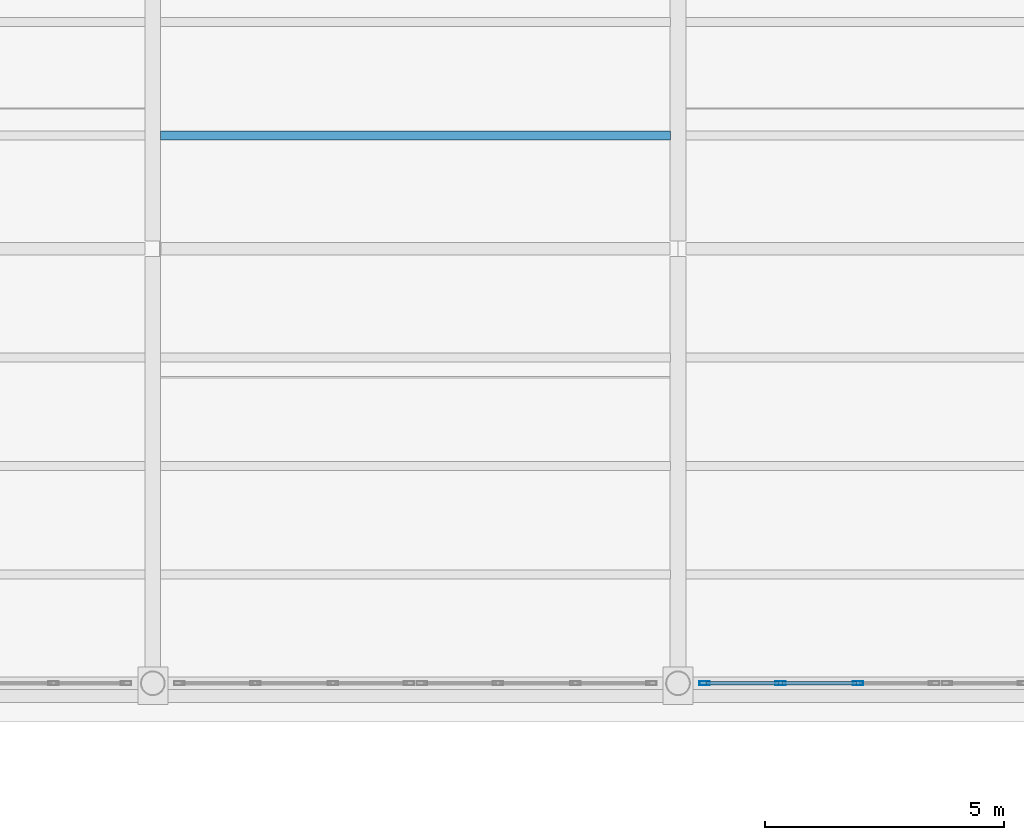
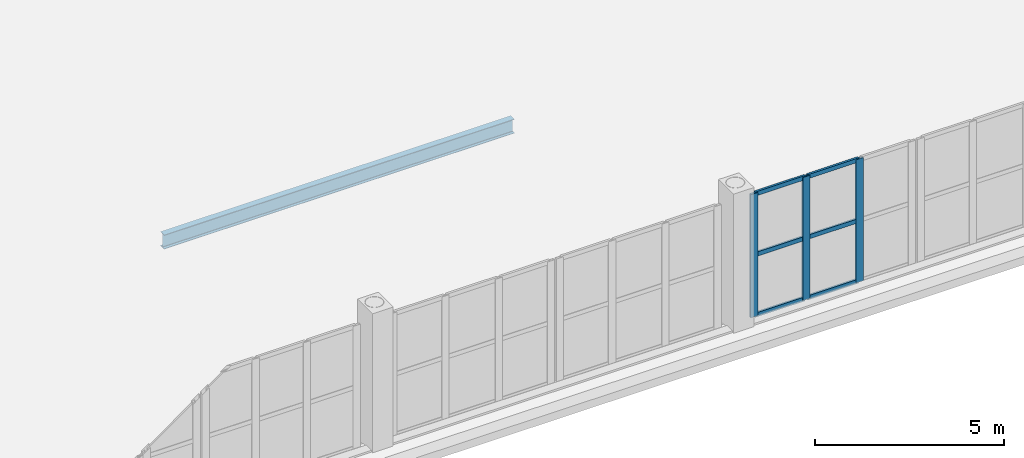
# One storey, part 40 of 156: 9 members, 1 beam, 1 element without a shape of its own.
"""IFC4 building model written with IfcOpenShell, lengths in metres."""

import ifcopenshell
import ifcopenshell.guid

model = None  # the IFC model being written
_history = None  # IfcOwnerHistory: only IFC2X3 demands one
_inside = {}  # id of a spatial element -> (the spatial element, [elements in it])
_under = {}  # id of a project, library or spatial element -> (it, [spatial elements below it])
_declared = {}  # id of a project -> (the project, [libraries it declares])
_typed = {}  # id of a type object -> (the type object, [elements of that type])
_made_of = {}  # id of a material, layer set ... -> (it, [elements and type objects made of it])


def new_model(schema):
    """Start an empty IFC model of exactly this schema.

    Asked for "IFC4X3", IfcOpenShell would pick the latest addendum, in which some entities
    have other attributes; the version numbers below select the first issue.
    IFC2X3 requires an IfcOwnerHistory on every rooted entity: one is made here for all.
    """
    global model, _history
    if schema == "IFC4X3":
        model = ifcopenshell.file(schema_version=(4, 3, 0, 0))
    else:
        model = ifcopenshell.file(schema=schema)
    _inside.clear()
    _under.clear()
    _declared.clear()
    _typed.clear()
    _made_of.clear()
    _history = None
    if model.schema == "IFC2X3":
        org = make("IfcOrganization", Name="unknown")
        user = make(
            "IfcPersonAndOrganization",
            ThePerson=make("IfcPerson", FamilyName="unknown"),
            TheOrganization=org,
        )
        app = make(
            "IfcApplication",
            ApplicationDeveloper=org,
            Version="unknown",
            ApplicationFullName="unknown",
            ApplicationIdentifier="unknown",
        )
        _history = make(
            "IfcOwnerHistory",
            OwningUser=user,
            OwningApplication=app,
            ChangeAction="ADDED",
            CreationDate=0,
        )
    return model


def make(cls, **values):
    """One entity of the class cls with the attributes given. An attribute that is None is left unset."""
    return model.create_entity(
        cls, **{name: value for name, value in values.items() if value is not None}
    )


def rooted(cls, **values):
    """An entity with a GlobalId (a new one), such as an element, a storey or a relation."""
    return make(cls, GlobalId=ifcopenshell.guid.new(), OwnerHistory=_history, **values)


def si_unit(unit_type, name, prefix=None):
    """IfcSIUnit, for example si_unit("LENGTHUNIT", "METRE", prefix="MILLI")."""
    return make("IfcSIUnit", UnitType=unit_type, Prefix=prefix, Name=name)


def assignment(units):
    """IfcUnitAssignment: the units of a project."""
    return None if units is None else make("IfcUnitAssignment", Units=units)


def point(xyz):
    """IfcCartesianPoint."""
    return None if xyz is None else make("IfcCartesianPoint", Coordinates=xyz)


def direction(xyz):
    """IfcDirection."""
    return None if xyz is None else make("IfcDirection", DirectionRatios=xyz)


def frame(location, z_axis=None, x_axis=None):
    """IfcAxis2Placement3D, a coordinate frame: its origin and axes. An axis left out is left unset."""
    return make(
        "IfcAxis2Placement3D",
        Location=point(location),
        Axis=direction(z_axis),
        RefDirection=direction(x_axis),
    )


def frame_2d(location, x_axis=None):
    """IfcAxis2Placement2D, a coordinate frame in the plane: its origin and x axis."""
    return make(
        "IfcAxis2Placement2D", Location=point(location), RefDirection=direction(x_axis)
    )


def origin():
    """The frame at (0, 0, 0) with its axes left unset."""
    return frame((0.0, 0.0, 0.0))


def origin_2d():
    """The frame at (0, 0) in the plane with its x axis left unset."""
    return frame_2d((0.0, 0.0))


def place(relative_to, where):
    """IfcLocalPlacement: puts the frame where relative to a parent placement (None: the world)."""
    return make(
        "IfcLocalPlacement", PlacementRelTo=relative_to, RelativePlacement=where
    )


def context(
    kind, dimensions, precision=None, world=None, true_north=None, identifier=None
):
    """IfcGeometricRepresentationContext, for example the 3D "Model" context."""
    return make(
        "IfcGeometricRepresentationContext",
        ContextIdentifier=identifier,
        ContextType=kind,
        CoordinateSpaceDimension=dimensions,
        Precision=precision,
        WorldCoordinateSystem=world,
        TrueNorth=true_north,
    )


def subcontext(parent, identifier, kind, view, scale=None):
    """IfcGeometricRepresentationSubContext, for example "Body" below "Model"."""
    return make(
        "IfcGeometricRepresentationSubContext",
        ContextIdentifier=identifier,
        ContextType=kind,
        ParentContext=parent,
        TargetScale=scale,
        TargetView=view,
    )


def project(units=None, contexts=None):
    """IfcProject with its units and contexts."""
    return rooted(
        "IfcProject",
        Name="project",
        RepresentationContexts=contexts,
        UnitsInContext=assignment(units),
    )


def spatial(cls, under=None, at=None, **own):
    """A site, building, storey or space (cls), placed at a placement, below another one or the project."""
    s = rooted(cls, ObjectPlacement=at, **own)
    if under is not None:
        _under.setdefault(under.id(), (under, []))[1].append(s)
    return s


def profile(cls, at=None, kind="AREA", **sizes):
    """A parametric profile (cls). Its sizes go by their IFC names, for example OverallWidth=200.0."""
    return make(cls, ProfileType=kind, Position=at, **sizes)


def hollow_rectangle(**sizes):
    """IfcRectangleHollowProfileDef."""
    return profile("IfcRectangleHollowProfileDef", **sizes)


def i_section(**sizes):
    """IfcIShapeProfileDef."""
    return profile("IfcIShapeProfileDef", **sizes)


def extrude(swept, where, along, depth):
    """IfcExtrudedAreaSolid: the profile swept, set in the frame where, extruded along a direction by depth."""
    return make(
        "IfcExtrudedAreaSolid",
        SweptArea=swept,
        Position=where,
        ExtrudedDirection=direction(along),
        Depth=depth,
    )


def shape(context_of_items, identifier, shape_type, items):
    """IfcShapeRepresentation: the items that make up one representation, for example the "Body"."""
    return make(
        "IfcShapeRepresentation",
        ContextOfItems=context_of_items,
        RepresentationIdentifier=identifier,
        RepresentationType=shape_type,
        Items=items,
    )


def material(Name=None, Category=None):
    """IfcMaterial."""
    return make("IfcMaterial", Name=Name, Category=Category)


def material_profile(
    of_material, cross_section, Name=None, Category=None, Priority=None
):
    """IfcMaterialProfile: a cross section and its material."""
    return make(
        "IfcMaterialProfile",
        Name=Name,
        Material=of_material,
        Profile=cross_section,
        Priority=Priority,
        Category=Category,
    )


def profile_set(profiles, Name=None, composite=None):
    """IfcMaterialProfileSet."""
    return make(
        "IfcMaterialProfileSet",
        Name=Name,
        MaterialProfiles=profiles,
        CompositeProfile=composite,
    )


def made_of(thing, what):
    """Note that an element or type object is made of a material, layer set ...; save() writes the relation."""
    if what is not None:
        _made_of.setdefault(what.id(), (what, []))[1].append(thing)
    return thing


def type_object(cls, material=None, **own):
    """A type object (cls), such as IfcWallType, which elements share."""
    return made_of(rooted(cls, **own), material)


def element(
    cls,
    number,
    at=None,
    inside=None,
    cuts=None,
    type_object=None,
    material=None,
    context=None,
    identifier="Body",
    shape_type=None,
    held_by="IfcProductDefinitionShape",
    body=None,
    shapes=None,
    **own,
):
    """One element of the class cls, such as IfcWall. Its Tag is "e" and its number.

    at: its placement. inside: the storey or other place that contains it. cuts: it is an
    opening in that element (IfcRelVoidsElement). A single representation is given by context,
    identifier, shape_type and body (its items); several are given by shapes. held_by: the class
    of the entity that holds the representations. save() writes the other relations.
    """
    e = rooted(cls, Tag="e%d" % number, ObjectPlacement=at, **own)
    if body is not None:
        shapes = [shape(context, identifier, shape_type, body)]
    if shapes is not None:
        e.Representation = make(held_by, Representations=shapes)
    if inside is not None:
        _inside.setdefault(inside.id(), (inside, []))[1].append(e)
    if cuts is not None:
        rooted(
            "IfcRelVoidsElement", RelatingBuildingElement=cuts, RelatedOpeningElement=e
        )
    if type_object is not None:
        _typed.setdefault(type_object.id(), (type_object, []))[1].append(e)
    return made_of(e, material)


def aggregate(whole, parts):
    """IfcRelAggregates: a whole, such as a stair, and the parts it consists of."""
    return rooted("IfcRelAggregates", RelatingObject=whole, RelatedObjects=parts)


def save(model, path):
    """Write the relations noted so far, then the file.

    IfcRelAggregates (storeys below a building ...), IfcRelContainedInSpatialStructure (elements
    in a storey), IfcRelDefinesByType, IfcRelAssociatesMaterial and IfcRelDeclares: one each for
    every whole, place, type object, material and project.
    """
    for whole, parts in _under.values():
        aggregate(whole, parts)
    for where, things in _inside.values():
        rooted(
            "IfcRelContainedInSpatialStructure",
            RelatedElements=things,
            RelatingStructure=where,
        )
    for kind, things in _typed.values():
        rooted("IfcRelDefinesByType", RelatedObjects=things, RelatingType=kind)
    for what, things in _made_of.values():
        rooted("IfcRelAssociatesMaterial", RelatedObjects=things, RelatingMaterial=what)
    for by, libraries in _declared.values():
        rooted("IfcRelDeclares", RelatingContext=by, RelatedDefinitions=libraries)
    model.write(path)


model = new_model("IFC4")

# Units and contexts
model_context = context("Model", 3, precision=1e-05, world=origin(), true_north=direction((0.0, 1.0)))
body_context = subcontext(model_context, "Body", "Model", "MODEL_VIEW")
ifc_project = project(units=[si_unit("LENGTHUNIT", "METRE"), si_unit("AREAUNIT", "SQUARE_METRE"), si_unit("VOLUMEUNIT", "CUBIC_METRE"), si_unit("PLANEANGLEUNIT", "RADIAN"), si_unit("MASSUNIT", "GRAM", prefix="KILO")], contexts=[model_context])

# Site, building, storey
site_placement = place(None, origin())
site = spatial("IfcSite", under=ifc_project, at=site_placement, CompositionType="ELEMENT")
building_placement = place(site_placement, origin())
building = spatial("IfcBuilding", under=site, at=building_placement, Name="Caurita Quay Ferry Terminal", CompositionType="ELEMENT")
storey_placement = place(building_placement, frame((0.0, 0.0, 5.39990234375)))
storey = spatial("IfcBuildingStorey", under=building, at=storey_placement, Name="L01", CompositionType="ELEMENT", Elevation=5.39990234375)

# Beam
ifc_material_1 = material(Name="Structural steel ASTM A992 Gr. 50", Category="steel")
ifc_material_profile_1 = material_profile(ifc_material_1, i_section(OverallWidth=0.1904296875, OverallDepth=0.457275390625, WebThickness=0.009033203125, FlangeThickness=0.014404296875, FilletRadius=0.0126953125, at=origin_2d()), Name="W18X50")
ifc_profile_set_1 = profile_set([ifc_material_profile_1], Name="Structural steel ASTM A992 Gr. 50")
beam_type = type_object("IfcBeamType", Name="BM-JS-W18B", PredefinedType="JOIST", material=ifc_profile_set_1)
beam_placement = place(storey_placement, frame((99.362548828125, 46.074951171875, -0.528564453125), z_axis=(1.0, 0.0, 0.0), x_axis=(0.0, 1.0, 0.0)))
element("IfcBeam", 1, at=beam_placement, inside=storey, type_object=beam_type, Name="L01 Beam JS-V2-L01-013", PredefinedType="JOIST", context=body_context, shape_type="SweptSolid", body=[
    extrude(i_section(OverallWidth=0.1904296875, OverallDepth=0.457275390625, WebThickness=0.009033203125, FlangeThickness=0.014404296875, FilletRadius=0.0126953125, at=origin_2d()), origin(), (0.0, 0.0, 1.0), 10.675048828125),
])

# Curtain wall, members
ifc_material_2 = material(Name="Laminated solar-control insulated glass", Category="glass")
curtain_wall_type = type_object("IfcCurtainWallType", Name="CW-SYS-08", PredefinedType="NOTDEFINED", material=ifc_material_2)
curtain_wall_placement = place(storey_placement, origin())
curtain_wall = element("IfcCurtainWall", 2, at=curtain_wall_placement, inside=storey, type_object=curtain_wall_type, Name="V2 Waterside Concourse Curtain Wall 069", PredefinedType="NOTDEFINED")
ifc_material_3 = material(Name="Anodized aluminium 6063-T6", Category="aluminium")
ifc_material_profile_2 = material_profile(ifc_material_3, hollow_rectangle(XDim=0.074951171875, YDim=0.219970703125, WallThickness=0.00390625, at=origin_2d()), Name="ALU-MUL-75X220")
ifc_profile_set_2 = profile_set([ifc_material_profile_2], Name="Anodized aluminium 6063-T6")
member_type_1 = type_object("IfcMemberType", Name="CW-MUL-220", PredefinedType="MULLION", material=ifc_profile_set_2)
member_1_placement = place(storey_placement, frame((110.757568359375, 34.60009765625, 0.0), z_axis=(0.0, 0.0, 1.0), x_axis=(0.0, 1.0, 0.0)))
member_1 = element("IfcMember", 3, at=member_1_placement, type_object=member_type_1, Name="CW-SEA-069 Mullion 1", PredefinedType="MULLION", context=body_context, shape_type="SweptSolid", body=[
    extrude(hollow_rectangle(XDim=0.074951171875, YDim=0.219970703125, WallThickness=0.00390625, at=origin_2d()), origin(), (0.0, 0.0, 1.0), 3.97021484375),
])
member_2_placement = place(storey_placement, frame((112.3466796875, 34.60009765625, 0.0), z_axis=(0.0, 0.0, 1.0), x_axis=(0.0, 1.0, 0.0)))
member_2 = element("IfcMember", 4, at=member_2_placement, type_object=member_type_1, Name="CW-SEA-069 Mullion 2", PredefinedType="MULLION", context=body_context, shape_type="SweptSolid", body=[
    extrude(hollow_rectangle(XDim=0.074951171875, YDim=0.219970703125, WallThickness=0.00390625, at=origin_2d()), origin(), (0.0, 0.0, 1.0), 3.97021484375),
])
member_3_placement = place(storey_placement, frame((113.973388671875, 34.60009765625, 0.0), z_axis=(0.0, 0.0, 1.0), x_axis=(0.0, 1.0, 0.0)))
member_3 = element("IfcMember", 5, at=member_3_placement, type_object=member_type_1, Name="CW-SEA-069 Mullion 3", PredefinedType="MULLION", context=body_context, shape_type="SweptSolid", body=[
    extrude(hollow_rectangle(XDim=0.074951171875, YDim=0.219970703125, WallThickness=0.00390625, at=origin_2d()), origin(), (0.0, 0.0, 1.0), 3.97021484375),
])
ifc_material_profile_3 = material_profile(ifc_material_3, hollow_rectangle(XDim=0.06494140625, YDim=0.135009765625, WallThickness=0.00341796875, at=origin_2d()), Name="ALU-TRN-65X135")
ifc_profile_set_3 = profile_set([ifc_material_profile_3], Name="Anodized aluminium 6063-T6")
member_type_2 = type_object("IfcMemberType", Name="CW-TRN-135", PredefinedType="USERDEFINED", material=ifc_profile_set_3)
member_4_placement = place(storey_placement, frame((110.79296875, 34.60009765625, 0.03271484375), z_axis=(1.0, 0.0, 0.0), x_axis=(0.0, 1.0, 0.0)))
member_4 = element("IfcMember", 6, at=member_4_placement, type_object=member_type_2, Name="CW-SEA-069 Transom 1", ObjectType="TRANSOM", PredefinedType="USERDEFINED", context=body_context, shape_type="SweptSolid", body=[
    extrude(hollow_rectangle(XDim=0.06494140625, YDim=0.135009765625, WallThickness=0.00341796875, at=origin_2d()), origin(), (0.0, 0.0, 1.0), 1.518310546875),
])
member_5_placement = place(storey_placement, frame((110.79296875, 34.60009765625, 1.985107421875), z_axis=(1.0, 0.0, 0.0), x_axis=(0.0, 1.0, 0.0)))
member_5 = element("IfcMember", 7, at=member_5_placement, type_object=member_type_2, Name="CW-SEA-069 Transom 2", ObjectType="TRANSOM", PredefinedType="USERDEFINED", context=body_context, shape_type="SweptSolid", body=[
    extrude(hollow_rectangle(XDim=0.06494140625, YDim=0.135009765625, WallThickness=0.00341796875, at=origin_2d()), origin(), (0.0, 0.0, 1.0), 1.518310546875),
])
member_6_placement = place(storey_placement, frame((110.79296875, 34.60009765625, 3.9375), z_axis=(1.0, 0.0, 0.0), x_axis=(0.0, 1.0, 0.0)))
member_6 = element("IfcMember", 8, at=member_6_placement, type_object=member_type_2, Name="CW-SEA-069 Transom 3", ObjectType="TRANSOM", PredefinedType="USERDEFINED", context=body_context, shape_type="SweptSolid", body=[
    extrude(hollow_rectangle(XDim=0.06494140625, YDim=0.135009765625, WallThickness=0.00341796875, at=origin_2d()), origin(), (0.0, 0.0, 1.0), 1.518310546875),
])
member_7_placement = place(storey_placement, frame((112.382080078125, 34.60009765625, 0.03271484375), z_axis=(1.0, 0.0, 0.0), x_axis=(0.0, 1.0, 0.0)))
member_7 = element("IfcMember", 9, at=member_7_placement, type_object=member_type_2, Name="CW-SEA-069 Transom 4", ObjectType="TRANSOM", PredefinedType="USERDEFINED", context=body_context, shape_type="SweptSolid", body=[
    extrude(hollow_rectangle(XDim=0.06494140625, YDim=0.135009765625, WallThickness=0.00341796875, at=origin_2d()), origin(), (0.0, 0.0, 1.0), 1.5556640625),
])
member_8_placement = place(storey_placement, frame((112.382080078125, 34.60009765625, 1.985107421875), z_axis=(1.0, 0.0, 0.0), x_axis=(0.0, 1.0, 0.0)))
member_8 = element("IfcMember", 10, at=member_8_placement, type_object=member_type_2, Name="CW-SEA-069 Transom 5", ObjectType="TRANSOM", PredefinedType="USERDEFINED", context=body_context, shape_type="SweptSolid", body=[
    extrude(hollow_rectangle(XDim=0.06494140625, YDim=0.135009765625, WallThickness=0.00341796875, at=origin_2d()), origin(), (0.0, 0.0, 1.0), 1.5556640625),
])
member_9_placement = place(storey_placement, frame((112.382080078125, 34.60009765625, 3.9375), z_axis=(1.0, 0.0, 0.0), x_axis=(0.0, 1.0, 0.0)))
member_9 = element("IfcMember", 11, at=member_9_placement, type_object=member_type_2, Name="CW-SEA-069 Transom 6", ObjectType="TRANSOM", PredefinedType="USERDEFINED", context=body_context, shape_type="SweptSolid", body=[
    extrude(hollow_rectangle(XDim=0.06494140625, YDim=0.135009765625, WallThickness=0.00341796875, at=origin_2d()), origin(), (0.0, 0.0, 1.0), 1.5556640625),
])
aggregate(curtain_wall, [member_1, member_2, member_3, member_4, member_5, member_6, member_7, member_8, member_9])

save(model, "model.ifc")
